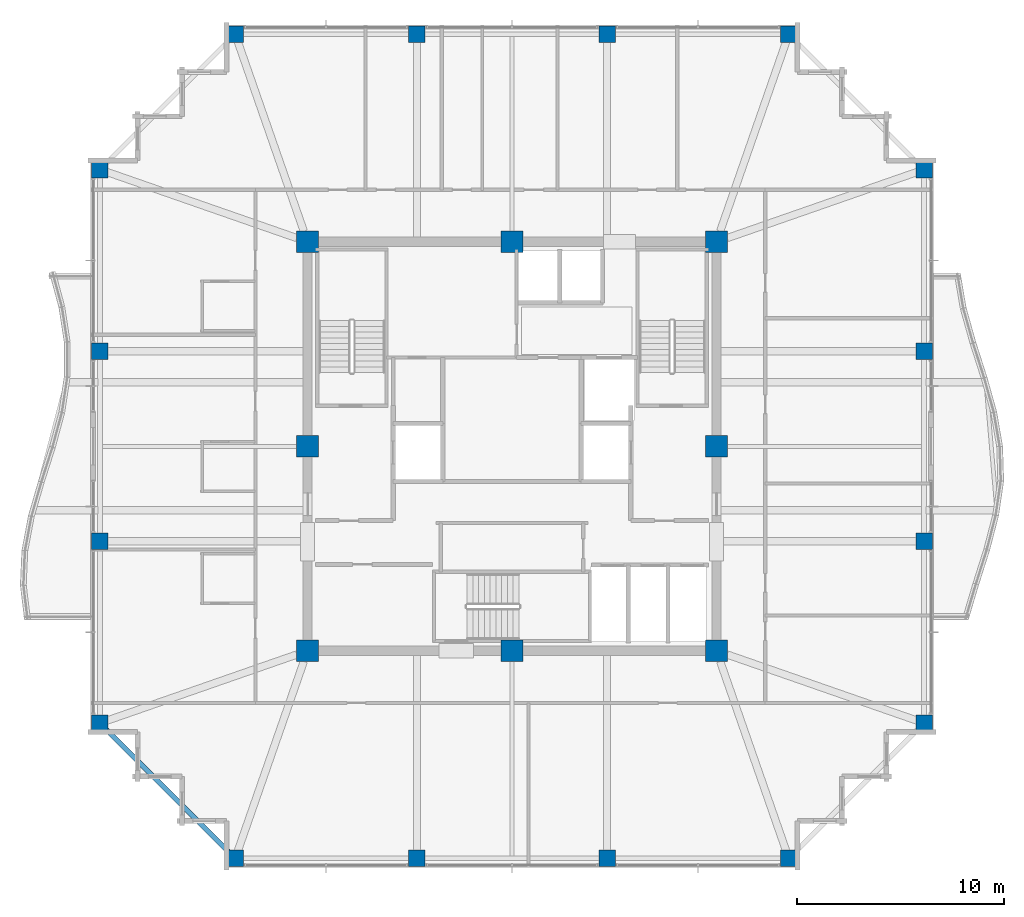
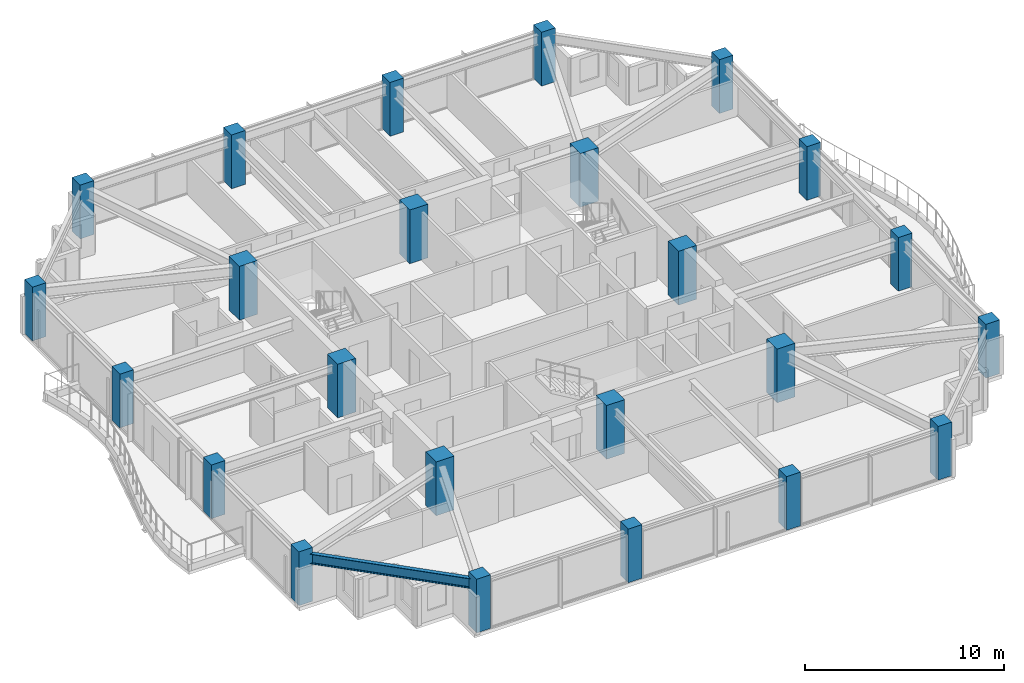
# One storey, part 1 of 34: 24 columns, 1 beam.
"""IFC4 building model written with IfcOpenShell, lengths in metres."""

from ifc_helpers import new_model, si_unit, direction, frame, origin, origin_2d, place, context, subcontext, project, spatial, rectangle, i_section, extrude, material, material_profile, profile_set, type_object, element, save


model = new_model("IFC4")

# Units and contexts
model_context = context("Model", 3, precision=1e-05, world=origin(), true_north=direction((0.0, 1.0)))
body_context = subcontext(model_context, "Body", "Model", "MODEL_VIEW")
ifc_project = project(units=[si_unit("LENGTHUNIT", "METRE"), si_unit("AREAUNIT", "SQUARE_METRE"), si_unit("VOLUMEUNIT", "CUBIC_METRE"), si_unit("PLANEANGLEUNIT", "RADIAN"), si_unit("MASSUNIT", "GRAM", prefix="KILO")], contexts=[model_context])

# Site, building, storey
site_placement = place(None, origin())
site = spatial("IfcSite", under=ifc_project, at=site_placement, CompositionType="ELEMENT")
building_placement = place(site_placement, origin())
building = spatial("IfcBuilding", under=site, at=building_placement, Name="Kolvaren Belvedere", CompositionType="ELEMENT")
storey_placement = place(building_placement, frame((0.0, 0.0, 229.5)))
storey = spatial("IfcBuildingStorey", under=building, at=storey_placement, Name="L67", CompositionType="ELEMENT", Elevation=229.5)

# Columns
ifc_material_1 = material(Name="Concrete C50/60", Category="concrete")
ifc_material_profile_1 = material_profile(ifc_material_1, rectangle(XDim=1.050048828125, YDim=1.050048828125, at=origin_2d()), Name="RC 1050X1050")
ifc_profile_set_1 = profile_set([ifc_material_profile_1], Name="Concrete C50/60")
column_type_1 = type_object("IfcColumnType", Name="COL-RC-1050", PredefinedType="COLUMN", material=ifc_profile_set_1)
for number, where, z_axis, x_axis, name in (
    (1, (-9.89990234375, -9.89990234375, 0.0), (0.0, 0.0, 1.0), (1.0, 0.0, 0.0), "L67 Core Column CC1"),
    (2, (9.89990234375, -9.89990234375, 0.0), (0.0, 0.0, 1.0), (1.0, 0.0, 0.0), "L67 Core Column CC2"),
    (3, (9.89990234375, 9.89990234375, 0.0), (0.0, 0.0, 1.0), (1.0, 0.0, 0.0), "L67 Core Column CC3"),
    (4, (-9.89990234375, 9.89990234375, 0.0), (0.0, 0.0, 1.0), (1.0, 0.0, 0.0), "L67 Core Column CC4"),
    (5, (0.0, -9.89990234375, 0.0), (0.0, 0.0, 1.0), (1.0, 0.0, 0.0), "L67 Core Column CM1"),
    (6, (9.89990234375, 0.0, 0.0), (0.0, 0.0, 1.0), (1.0, 0.0, 0.0), "L67 Core Column CM2"),
    (7, (0.0, 9.89990234375, 0.0), (0.0, 0.0, 1.0), (1.0, 0.0, 0.0), "L67 Core Column CM3"),
    (8, (-9.89990234375, 0.0, 0.0), (0.0, 0.0, 1.0), (1.0, 0.0, 0.0), "L67 Core Column CM4"),
):
    element("IfcColumn", number, at=place(storey_placement, frame(where, z_axis=z_axis, x_axis=x_axis)), inside=storey, type_object=column_type_1, Name=name, PredefinedType="COLUMN", context=body_context, shape_type="SweptSolid", body=[
        extrude(rectangle(XDim=1.050048828125, YDim=1.050048828125, at=origin_2d()), origin(), (0.0, 0.0, 1.0), 3.300048828125),
    ])
ifc_material_2 = material(Name="Concrete C50/60", Category="concrete")
ifc_material_profile_2 = material_profile(ifc_material_2, rectangle(XDim=0.800048828125, YDim=0.800048828125, at=origin_2d()), Name="RC 800X800")
ifc_profile_set_2 = profile_set([ifc_material_profile_2], Name="Concrete C50/60")
column_type_2 = type_object("IfcColumnType", Name="COL-RC-800", PredefinedType="COLUMN", material=ifc_profile_set_2)
for number, where, z_axis, x_axis, name in (
    (9, (-13.39990234375, -19.949951171875, 0.0), (0.0, 0.0, 1.0), (1.0, 0.0, 0.0), "L67 Perimeter Column S1"),
    (10, (-4.60009765625, -19.949951171875, 0.0), (0.0, 0.0, 1.0), (1.0, 0.0, 0.0), "L67 Perimeter Column S2"),
    (11, (4.60009765625, -19.949951171875, 0.0), (0.0, 0.0, 1.0), (1.0, 0.0, 0.0), "L67 Perimeter Column S3"),
    (12, (13.39990234375, -19.949951171875, 0.0), (0.0, 0.0, 1.0), (1.0, 0.0, 0.0), "L67 Perimeter Column S4"),
    (13, (-13.39990234375, 19.949951171875, 0.0), (0.0, 0.0, 1.0), (1.0, 0.0, 0.0), "L67 Perimeter Column N1"),
    (14, (-4.60009765625, 19.949951171875, 0.0), (0.0, 0.0, 1.0), (1.0, 0.0, 0.0), "L67 Perimeter Column N2"),
    (15, (4.60009765625, 19.949951171875, 0.0), (0.0, 0.0, 1.0), (1.0, 0.0, 0.0), "L67 Perimeter Column N3"),
    (16, (13.39990234375, 19.949951171875, 0.0), (0.0, 0.0, 1.0), (1.0, 0.0, 0.0), "L67 Perimeter Column N4"),
    (17, (-19.949951171875, -13.39990234375, 0.0), (0.0, 0.0, 1.0), (1.0, 0.0, 0.0), "L67 Perimeter Column W1"),
    (18, (-19.949951171875, -4.60009765625, 0.0), (0.0, 0.0, 1.0), (1.0, 0.0, 0.0), "L67 Perimeter Column W2"),
    (19, (-19.949951171875, 4.60009765625, 0.0), (0.0, 0.0, 1.0), (1.0, 0.0, 0.0), "L67 Perimeter Column W3"),
    (20, (-19.949951171875, 13.39990234375, 0.0), (0.0, 0.0, 1.0), (1.0, 0.0, 0.0), "L67 Perimeter Column W4"),
    (21, (19.949951171875, -13.39990234375, 0.0), (0.0, 0.0, 1.0), (1.0, 0.0, 0.0), "L67 Perimeter Column E1"),
    (22, (19.949951171875, -4.60009765625, 0.0), (0.0, 0.0, 1.0), (1.0, 0.0, 0.0), "L67 Perimeter Column E2"),
    (23, (19.949951171875, 4.60009765625, 0.0), (0.0, 0.0, 1.0), (1.0, 0.0, 0.0), "L67 Perimeter Column E3"),
    (24, (19.949951171875, 13.39990234375, 0.0), (0.0, 0.0, 1.0), (1.0, 0.0, 0.0), "L67 Perimeter Column E4"),
):
    element("IfcColumn", number, at=place(storey_placement, frame(where, z_axis=z_axis, x_axis=x_axis)), inside=storey, type_object=column_type_2, Name=name, PredefinedType="COLUMN", context=body_context, shape_type="SweptSolid", body=[
        extrude(rectangle(XDim=0.800048828125, YDim=0.800048828125, at=origin_2d()), origin(), (0.0, 0.0, 1.0), 3.300048828125),
    ])

# Beam
ifc_material_3 = material(Name="Structural steel ASTM A992 Grade 50", Category="steel")
ifc_material_profile_3 = material_profile(ifc_material_3, i_section(OverallWidth=0.22900390625, OverallDepth=0.612060546875, WebThickness=0.011962890625, FlangeThickness=0.01953125, FilletRadius=0.01806640625, at=origin_2d()), Name="W24X84")
ifc_profile_set_3 = profile_set([ifc_material_profile_3], Name="Structural steel ASTM A992 Grade 50")
beam_type = type_object("IfcBeamType", Name="BM-SPAN-W24X84", PredefinedType="SPANDREL", material=ifc_profile_set_3)
beam_placement = place(storey_placement, frame((-19.82275390625, -13.52734375, 2.64404296875), z_axis=(0.707106781187, -0.707106781187, 0.0), x_axis=(0.707106781187, 0.707106781187, 0.0)))
element("IfcBeam", 25, at=beam_placement, inside=storey, type_object=beam_type, Name="L67 Perimeter Spandrel W1-S1", PredefinedType="SPANDREL", context=body_context, shape_type="SweptSolid", body=[
    extrude(i_section(OverallWidth=0.22900390625, OverallDepth=0.612060546875, WebThickness=0.011962890625, FlangeThickness=0.01953125, FilletRadius=0.01806640625, at=origin_2d()), origin(), (0.0, 0.0, 1.0), 8.903076171875),
])

save(model, "model.ifc")
